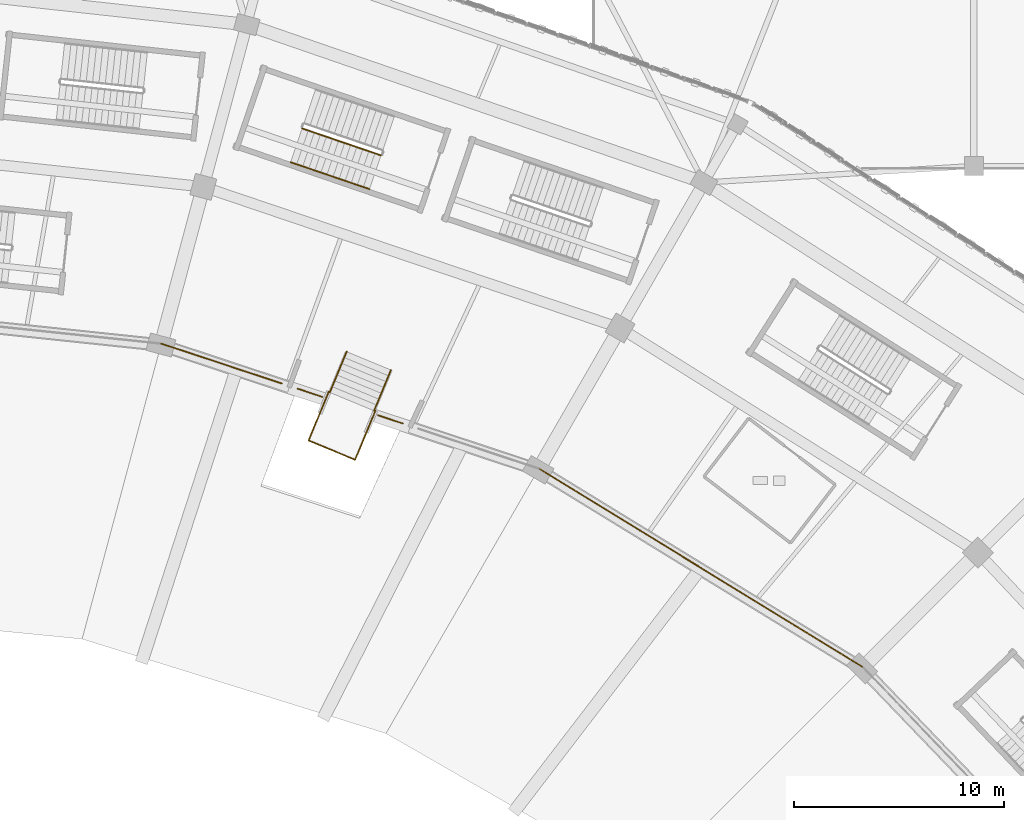
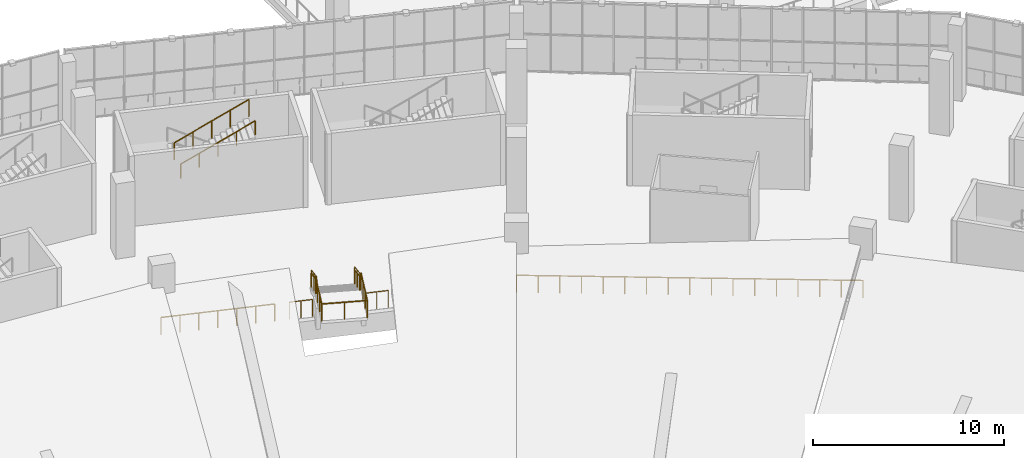
# One storey, part 172 of 183: 13 railings.
"""IFC4 building model written with IfcOpenShell, lengths in metres."""

from ifc_helpers import new_model, si_unit, direction, frame, origin, origin_2d, place, context, subcontext, project, spatial, circle, extrude, material, type_object, element, save


model = new_model("IFC4")

# Units and contexts
model_context = context("Model", 3, precision=1e-05, world=origin(), true_north=direction((0.0, 1.0)))
body_context = subcontext(model_context, "Body", "Model", "MODEL_VIEW")
ifc_project = project(units=[si_unit("LENGTHUNIT", "METRE"), si_unit("AREAUNIT", "SQUARE_METRE"), si_unit("VOLUMEUNIT", "CUBIC_METRE"), si_unit("PLANEANGLEUNIT", "RADIAN"), si_unit("MASSUNIT", "GRAM", prefix="KILO")], contexts=[model_context])

# Site, building, storey
site_placement = place(None, origin())
site = spatial("IfcSite", under=ifc_project, at=site_placement, CompositionType="ELEMENT")
building_placement = place(site_placement, origin())
building = spatial("IfcBuilding", under=site, at=building_placement, Name="Zevraka Park Crest Stadium", CompositionType="ELEMENT")
storey_placement = place(building_placement, frame((0.0, 0.0, 5.39990234375)))
storey = spatial("IfcBuildingStorey", under=building, at=storey_placement, Name="L01", CompositionType="ELEMENT", Elevation=5.39990234375)

# Railings
ifc_material_1 = material(Name="Galvanised and bronze-finished steel balustrade", Category="steel")
railing_type_1 = type_object("IfcRailingType", Name="GR01", PredefinedType="GUARDRAIL", material=ifc_material_1)
railing_1_placement = place(storey_placement, frame((164.720947265625, 134.12890625, 0.0)))
element("IfcRailing", 1, at=railing_1_placement, inside=storey, type_object=railing_type_1, Name="Deck Edge Protection Guardrail GR01 L01-82", PredefinedType="GUARDRAIL", context=body_context, shape_type="SweptSolid", body=[
    extrude(circle(Radius=0.02392578125, at=origin_2d()), frame((0.0, 0.0, 1.076171875), z_axis=(-0.852607262071, 0.522552252569, 0.0), x_axis=(-0.522552252569, -0.852607262071, 0.0)), (0.0, 0.0, 1.0), 18.099609375),
    extrude(circle(Radius=0.02099609375, at=origin_2d()), origin(), (0.0, 0.0, 1.0), 1.052001953125),
    extrude(circle(Radius=0.02099609375, at=origin_2d()), frame((-0.964599609375, 0.591064453125, 0.0)), (0.0, 0.0, 1.0), 1.052001953125),
    extrude(circle(Radius=0.02099609375, at=origin_2d()), frame((-1.928955078125, 1.18212890625, 0.0)), (0.0, 0.0, 1.0), 1.052001953125),
    extrude(circle(Radius=0.02099609375, at=origin_2d()), frame((-2.8935546875, 1.7734375, 0.0)), (0.0, 0.0, 1.0), 1.052001953125),
    extrude(circle(Radius=0.02099609375, at=origin_2d()), frame((-3.85791015625, 2.364501953125, 0.0)), (0.0, 0.0, 1.0), 1.052001953125),
    extrude(circle(Radius=0.02099609375, at=origin_2d()), frame((-4.822509765625, 2.95556640625, 0.0)), (0.0, 0.0, 1.0), 1.052001953125),
    extrude(circle(Radius=0.02099609375, at=origin_2d()), frame((-5.786865234375, 3.546875, 0.0)), (0.0, 0.0, 1.0), 1.052001953125),
    extrude(circle(Radius=0.02099609375, at=origin_2d()), frame((-6.75146484375, 4.137939453125, 0.0)), (0.0, 0.0, 1.0), 1.052001953125),
    extrude(circle(Radius=0.02099609375, at=origin_2d()), frame((-7.7158203125, 4.72900390625, 0.0)), (0.0, 0.0, 1.0), 1.052001953125),
    extrude(circle(Radius=0.02099609375, at=origin_2d()), frame((-8.680419921875, 5.320068359375, 0.0)), (0.0, 0.0, 1.0), 1.052001953125),
    extrude(circle(Radius=0.02099609375, at=origin_2d()), frame((-9.64501953125, 5.9111328125, 0.0)), (0.0, 0.0, 1.0), 1.052001953125),
    extrude(circle(Radius=0.02099609375, at=origin_2d()), frame((-10.609375, 6.50244140625, 0.0)), (0.0, 0.0, 1.0), 1.052001953125),
    extrude(circle(Radius=0.02099609375, at=origin_2d()), frame((-11.573974609375, 7.093505859375, 0.0)), (0.0, 0.0, 1.0), 1.052001953125),
    extrude(circle(Radius=0.02099609375, at=origin_2d()), frame((-12.538330078125, 7.6845703125, 0.0)), (0.0, 0.0, 1.0), 1.052001953125),
    extrude(circle(Radius=0.02099609375, at=origin_2d()), frame((-13.5029296875, 8.27587890625, 0.0)), (0.0, 0.0, 1.0), 1.052001953125),
    extrude(circle(Radius=0.02099609375, at=origin_2d()), frame((-14.46728515625, 8.866943359375, 0.0)), (0.0, 0.0, 1.0), 1.052001953125),
    extrude(circle(Radius=0.02099609375, at=origin_2d()), frame((-15.431884765625, 9.4580078125, 0.0)), (0.0, 0.0, 1.0), 1.052001953125),
])
railing_2_placement = place(storey_placement, frame((142.798095703125, 145.737060546875, 0.0)))
element("IfcRailing", 2, at=railing_2_placement, inside=storey, type_object=railing_type_1, Name="Deck Edge Protection Guardrail GR01 L01-84", PredefinedType="GUARDRAIL", context=body_context, shape_type="SweptSolid", body=[
    extrude(circle(Radius=0.02392578125, at=origin_2d()), frame((0.0, 0.0, 1.076171875), z_axis=(-0.94943147493, 0.313974321262, 0.0), x_axis=(-0.313974321262, -0.94943147493, 0.0)), (0.0, 0.0, 1.0), 1.235595703125),
    extrude(circle(Radius=0.02099609375, at=origin_2d()), origin(), (0.0, 0.0, 1.0), 1.052001953125),
    extrude(circle(Radius=0.02099609375, at=origin_2d()), frame((-0.58642578125, 0.19384765625, 0.0)), (0.0, 0.0, 1.0), 1.052001953125),
    extrude(circle(Radius=0.02099609375, at=origin_2d()), frame((-1.173095703125, 0.387939453125, 0.0)), (0.0, 0.0, 1.0), 1.052001953125),
])
railing_3_placement = place(storey_placement, frame((138.9599609375, 147.007080078125, 0.0)))
element("IfcRailing", 3, at=railing_3_placement, inside=storey, type_object=railing_type_1, Name="Deck Edge Protection Guardrail GR01 L01-85", PredefinedType="GUARDRAIL", context=body_context, shape_type="SweptSolid", body=[
    extrude(circle(Radius=0.02392578125, at=origin_2d()), frame((0.0, 0.0, 1.076171875), z_axis=(-0.94950930185, 0.313738881397, 0.0), x_axis=(-0.313738881397, -0.94950930185, 0.0)), (0.0, 0.0, 1.0), 1.236572265625),
    extrude(circle(Radius=0.02099609375, at=origin_2d()), origin(), (0.0, 0.0, 1.0), 1.052001953125),
    extrude(circle(Radius=0.02099609375, at=origin_2d()), frame((-0.5869140625, 0.19384765625, 0.0)), (0.0, 0.0, 1.0), 1.052001953125),
    extrude(circle(Radius=0.02099609375, at=origin_2d()), frame((-1.174072265625, 0.387939453125, 0.0)), (0.0, 0.0, 1.0), 1.052001953125),
])
railing_4_placement = place(storey_placement, frame((137.044921875, 147.639892578125, 0.0)))
element("IfcRailing", 4, at=railing_4_placement, inside=storey, type_object=railing_type_1, Name="Deck Edge Protection Guardrail GR01 L01-86", PredefinedType="GUARDRAIL", context=body_context, shape_type="SweptSolid", body=[
    extrude(circle(Radius=0.02392578125, at=origin_2d()), frame((0.0, 0.0, 1.076171875), z_axis=(-0.949481418616, 0.313823255517, 0.0), x_axis=(-0.313823255517, -0.949481418616, 0.0)), (0.0, 0.0, 1.0), 6.064208984375),
    extrude(circle(Radius=0.02099609375, at=origin_2d()), origin(), (0.0, 0.0, 1.0), 1.052001953125),
    extrude(circle(Radius=0.02099609375, at=origin_2d()), frame((-0.959716796875, 0.317138671875, 0.0)), (0.0, 0.0, 1.0), 1.052001953125),
    extrude(circle(Radius=0.02099609375, at=origin_2d()), frame((-1.919189453125, 0.63427734375, 0.0)), (0.0, 0.0, 1.0), 1.052001953125),
    extrude(circle(Radius=0.02099609375, at=origin_2d()), frame((-2.87890625, 0.95166015625, 0.0)), (0.0, 0.0, 1.0), 1.052001953125),
    extrude(circle(Radius=0.02099609375, at=origin_2d()), frame((-3.838623046875, 1.268798828125, 0.0)), (0.0, 0.0, 1.0), 1.052001953125),
    extrude(circle(Radius=0.02099609375, at=origin_2d()), frame((-4.798095703125, 1.5859375, 0.0)), (0.0, 0.0, 1.0), 1.052001953125),
    extrude(circle(Radius=0.02099609375, at=origin_2d()), frame((-5.7578125, 1.903076171875, 0.0)), (0.0, 0.0, 1.0), 1.052001953125),
])
ifc_material_2 = material(Name="Powder-coated tubular steel stairwell guard", Category="steel")
railing_type_2 = type_object("IfcRailingType", Name="GR03", PredefinedType="GUARDRAIL", material=ifc_material_2)
railing_5_placement = place(storey_placement, frame((138.012451171875, 159.789794921875, 2.571533203125)))
element("IfcRailing", 5, at=railing_5_placement, inside=storey, type_object=railing_type_2, Name="L01 ST25 stair guard 3", PredefinedType="GUARDRAIL", context=body_context, shape_type="SweptSolid", body=[
    extrude(circle(Radius=0.02392578125, at=origin_2d()), frame((0.0, 0.0, 1.076171875), z_axis=(0.824739296281, -0.282392023283, 0.489959017016), x_axis=(0.323938619155, 0.946078099852, 0.0)), (0.0, 0.0, 1.0), 4.54833984375),
    extrude(circle(Radius=0.02099609375, at=origin_2d()), origin(), (0.0, 0.0, 1.0), 1.052001953125),
    extrude(circle(Radius=0.02099609375, at=origin_2d()), frame((0.937744140625, -0.321044921875, 0.55712890625)), (0.0, 0.0, 1.0), 1.052001953125),
    extrude(circle(Radius=0.02099609375, at=origin_2d()), frame((1.87548828125, -0.64208984375, 1.1142578125)), (0.0, 0.0, 1.0), 1.052001953125),
    extrude(circle(Radius=0.02099609375, at=origin_2d()), frame((2.8134765625, -0.96337890625, 1.67138671875)), (0.0, 0.0, 1.0), 1.052001953125),
    extrude(circle(Radius=0.02099609375, at=origin_2d()), frame((3.751220703125, -1.284423828125, 2.228515625)), (0.0, 0.0, 1.0), 1.052001953125),
])
railing_6_placement = place(storey_placement, frame((140.131103515625, 149.154052734375, 0.150146484375)))
element("IfcRailing", 6, at=railing_6_placement, inside=storey, type_object=railing_type_2, Name="Vomitory Flight Guard VS-02-1", PredefinedType="GUARDRAIL", context=body_context, shape_type="SweptSolid", body=[
    extrude(circle(Radius=0.02392578125, at=origin_2d()), frame((0.0, 0.0, 1.076171875), z_axis=(-0.342516116352, -0.826239544789, 0.447225809481), x_axis=(0.92377020137, -0.382947274517, 0.0)), (0.0, 0.0, 1.0), 2.347900390625),
    extrude(circle(Radius=0.02099609375, at=origin_2d()), origin(), (0.0, 0.0, 1.0), 1.052001953125),
    extrude(circle(Radius=0.02099609375, at=origin_2d()), frame((-0.402099609375, -0.969970703125, 0.52490234375)), (0.0, 0.0, 1.0), 1.052001953125),
    extrude(circle(Radius=0.02099609375, at=origin_2d()), frame((-0.80419921875, -1.93994140625, 1.050048828125)), (0.0, 0.0, 1.0), 1.052001953125),
])
railing_7_placement = place(storey_placement, frame((142.237060546875, 148.281982421875, 0.150146484375)))
element("IfcRailing", 7, at=railing_7_placement, inside=storey, type_object=railing_type_2, Name="Vomitory Flight Guard VS-02-2", PredefinedType="GUARDRAIL", context=body_context, shape_type="SweptSolid", body=[
    extrude(circle(Radius=0.02392578125, at=origin_2d()), frame((0.0, 0.0, 1.076171875), z_axis=(-0.342057079019, -0.826386606837, 0.447305411025), x_axis=(0.923975744762, -0.382451072807, 0.0)), (0.0, 0.0, 1.0), 2.347412109375),
    extrude(circle(Radius=0.02099609375, at=origin_2d()), origin(), (0.0, 0.0, 1.0), 1.052001953125),
    extrude(circle(Radius=0.02099609375, at=origin_2d()), frame((-0.4013671875, -0.969970703125, 0.52490234375)), (0.0, 0.0, 1.0), 1.052001953125),
    extrude(circle(Radius=0.02099609375, at=origin_2d()), frame((-0.802978515625, -1.93994140625, 1.050048828125)), (0.0, 0.0, 1.0), 1.052001953125),
])
railing_8_placement = place(storey_placement, frame((139.281005859375, 147.260009765625, 1.2001953125)))
element("IfcRailing", 8, at=railing_8_placement, inside=storey, type_object=railing_type_2, Name="Vomitory Landing Guard VS-02-1", PredefinedType="GUARDRAIL", context=body_context, shape_type="SweptSolid", body=[
    extrude(circle(Radius=0.02392578125, at=origin_2d()), frame((0.0, 0.0, 1.076171875), z_axis=(-0.382582352346, -0.923921394748, 0.0), x_axis=(0.923921394748, -0.382582352346, 0.0)), (0.0, 0.0, 1.0), 2.525146484375),
    extrude(circle(Radius=0.02099609375, at=origin_2d()), origin(), (0.0, 0.0, 1.0), 1.052001953125),
    extrude(circle(Radius=0.02099609375, at=origin_2d()), frame((-0.322021484375, -0.777587890625, 0.0)), (0.0, 0.0, 1.0), 1.052001953125),
    extrude(circle(Radius=0.02099609375, at=origin_2d()), frame((-0.64404296875, -1.555419921875, 0.0)), (0.0, 0.0, 1.0), 1.052001953125),
    extrude(circle(Radius=0.02099609375, at=origin_2d()), frame((-0.966064453125, -2.3330078125, 0.0)), (0.0, 0.0, 1.0), 1.052001953125),
])
railing_9_placement = place(storey_placement, frame((138.31494140625, 144.927001953125, 1.2001953125)))
element("IfcRailing", 9, at=railing_9_placement, inside=storey, type_object=railing_type_2, Name="Vomitory Landing Guard VS-02-2", PredefinedType="GUARDRAIL", context=body_context, shape_type="SweptSolid", body=[
    extrude(circle(Radius=0.02392578125, at=origin_2d()), frame((0.0, 0.0, 1.076171875), z_axis=(0.923932522988, -0.382555476978, 0.0), x_axis=(0.382555476978, 0.923932522988, 0.0)), (0.0, 0.0, 1.0), 2.399658203125),
    extrude(circle(Radius=0.02099609375, at=origin_2d()), origin(), (0.0, 0.0, 1.0), 1.052001953125),
    extrude(circle(Radius=0.02099609375, at=origin_2d()), frame((1.1083984375, -0.458984375, 0.0)), (0.0, 0.0, 1.0), 1.052001953125),
    extrude(circle(Radius=0.02099609375, at=origin_2d()), frame((2.217041015625, -0.91796875, 0.0)), (0.0, 0.0, 1.0), 1.052001953125),
])
railing_10_placement = place(storey_placement, frame((140.531982421875, 144.009033203125, 1.2001953125)))
element("IfcRailing", 10, at=railing_10_placement, inside=storey, type_object=railing_type_2, Name="Vomitory Landing Guard VS-02-3", PredefinedType="GUARDRAIL", context=body_context, shape_type="SweptSolid", body=[
    extrude(circle(Radius=0.02392578125, at=origin_2d()), frame((0.0, 0.0, 1.076171875), z_axis=(0.382912412057, 0.923784652769, 0.0), x_axis=(-0.923784652769, 0.382912412057, 0.0)), (0.0, 0.0, 1.0), 2.525390625),
    extrude(circle(Radius=0.02099609375, at=origin_2d()), origin(), (0.0, 0.0, 1.0), 1.052001953125),
    extrude(circle(Radius=0.02099609375, at=origin_2d()), frame((0.322265625, 0.777587890625, 0.0)), (0.0, 0.0, 1.0), 1.052001953125),
    extrude(circle(Radius=0.02099609375, at=origin_2d()), frame((0.644775390625, 1.555419921875, 0.0)), (0.0, 0.0, 1.0), 1.052001953125),
    extrude(circle(Radius=0.02099609375, at=origin_2d()), frame((0.967041015625, 2.3330078125, 0.0)), (0.0, 0.0, 1.0), 1.052001953125),
])
ifc_material_3 = material(Name="Brushed stainless steel continuous handrail", Category="steel")
railing_type_3 = type_object("IfcRailingType", Name="HR01", PredefinedType="HANDRAIL", material=ifc_material_3)
railing_11_placement = place(storey_placement, frame((137.461669921875, 158.181640625, 2.571533203125)))
element("IfcRailing", 11, at=railing_11_placement, inside=storey, type_object=railing_type_3, Name="L01 ST25 stair handrail 2", PredefinedType="HANDRAIL", context=body_context, shape_type="SweptSolid", body=[
    extrude(circle(Radius=0.02392578125, at=origin_2d()), frame((0.0, 0.0, 0.8759765625), z_axis=(0.824726794133, -0.282441418206, 0.489951589772), x_axis=(0.32399372979, 0.946059228091, 0.0)), (0.0, 0.0, 1.0), 4.54833984375),
    extrude(circle(Radius=0.02099609375, at=origin_2d()), origin(), (0.0, 0.0, 1.0), 0.851806640625),
    extrude(circle(Radius=0.02099609375, at=origin_2d()), frame((0.937744140625, -0.3212890625, 0.55712890625)), (0.0, 0.0, 1.0), 0.851806640625),
    extrude(circle(Radius=0.02099609375, at=origin_2d()), frame((1.87548828125, -0.642333984375, 1.1142578125)), (0.0, 0.0, 1.0), 0.851806640625),
    extrude(circle(Radius=0.02099609375, at=origin_2d()), frame((2.8134765625, -0.96337890625, 1.67138671875)), (0.0, 0.0, 1.0), 0.851806640625),
    extrude(circle(Radius=0.02099609375, at=origin_2d()), frame((3.751220703125, -1.28466796875, 2.228515625)), (0.0, 0.0, 1.0), 0.851806640625),
])
railing_12_placement = place(storey_placement, frame((140.131103515625, 149.154052734375, 0.150146484375)))
element("IfcRailing", 12, at=railing_12_placement, inside=storey, type_object=railing_type_3, Name="Vomitory Handrail VS-02-1", PredefinedType="HANDRAIL", context=body_context, shape_type="SweptSolid", body=[
    extrude(circle(Radius=0.02392578125, at=origin_2d()), frame((0.0, 0.0, 0.8759765625), z_axis=(-0.342516116352, -0.826239544789, 0.447225809481), x_axis=(0.92377020137, -0.382947274517, 0.0)), (0.0, 0.0, 1.0), 2.347900390625),
    extrude(circle(Radius=0.02099609375, at=origin_2d()), origin(), (0.0, 0.0, 1.0), 0.851806640625),
    extrude(circle(Radius=0.02099609375, at=origin_2d()), frame((-0.402099609375, -0.969970703125, 0.52490234375)), (0.0, 0.0, 1.0), 0.851806640625),
    extrude(circle(Radius=0.02099609375, at=origin_2d()), frame((-0.80419921875, -1.93994140625, 1.050048828125)), (0.0, 0.0, 1.0), 0.851806640625),
])
railing_13_placement = place(storey_placement, frame((142.237060546875, 148.281982421875, 0.150146484375)))
element("IfcRailing", 13, at=railing_13_placement, inside=storey, type_object=railing_type_3, Name="Vomitory Handrail VS-02-2", PredefinedType="HANDRAIL", context=body_context, shape_type="SweptSolid", body=[
    extrude(circle(Radius=0.02392578125, at=origin_2d()), frame((0.0, 0.0, 0.8759765625), z_axis=(-0.342057079019, -0.826386606837, 0.447305411025), x_axis=(0.923975744762, -0.382451072807, 0.0)), (0.0, 0.0, 1.0), 2.347412109375),
    extrude(circle(Radius=0.02099609375, at=origin_2d()), origin(), (0.0, 0.0, 1.0), 0.851806640625),
    extrude(circle(Radius=0.02099609375, at=origin_2d()), frame((-0.4013671875, -0.969970703125, 0.52490234375)), (0.0, 0.0, 1.0), 0.851806640625),
    extrude(circle(Radius=0.02099609375, at=origin_2d()), frame((-0.802978515625, -1.93994140625, 1.050048828125)), (0.0, 0.0, 1.0), 0.851806640625),
])

save(model, "model.ifc")
